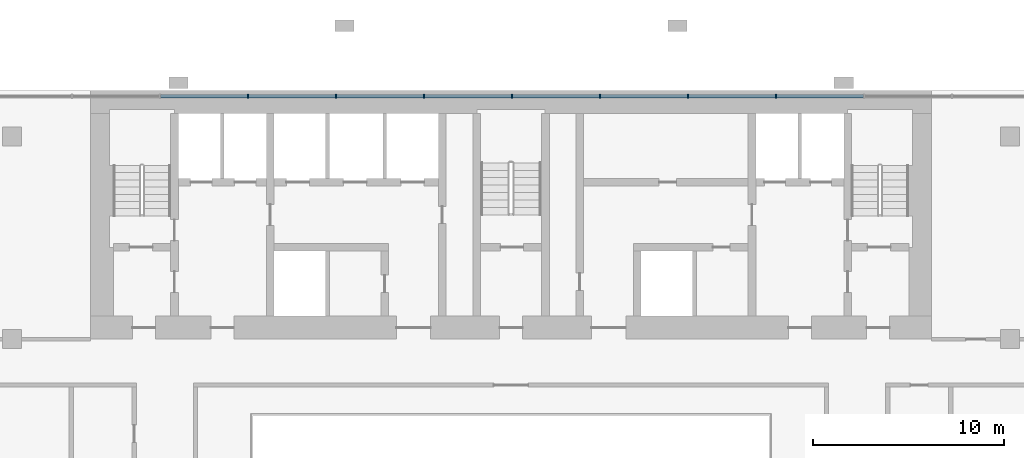
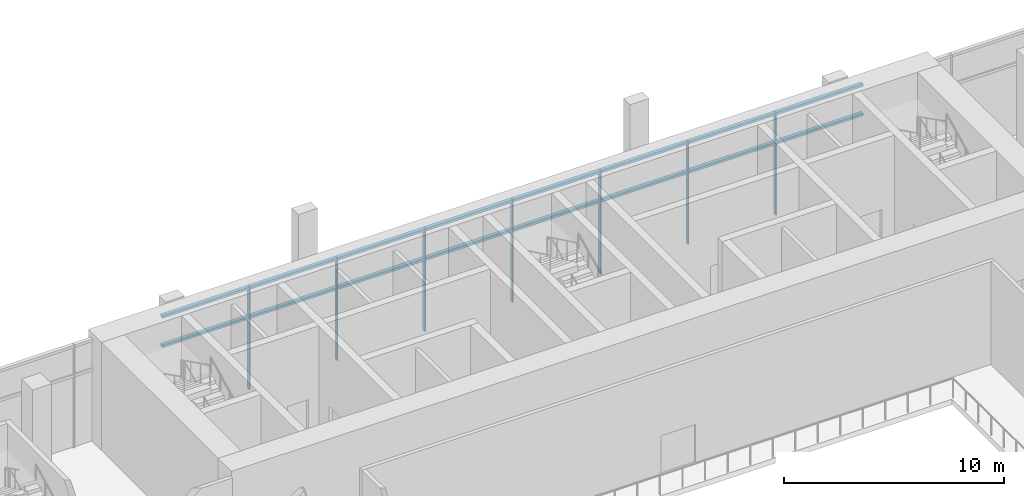
# One storey, part 6 of 22: 23 members, 1 element without a shape of its own.
"""IFC4 building model written with IfcOpenShell, lengths in metres."""

import ifcopenshell
import ifcopenshell.guid

model = None  # the IFC model being written
_history = None  # IfcOwnerHistory: only IFC2X3 demands one
_inside = {}  # id of a spatial element -> (the spatial element, [elements in it])
_under = {}  # id of a project, library or spatial element -> (it, [spatial elements below it])
_declared = {}  # id of a project -> (the project, [libraries it declares])
_typed = {}  # id of a type object -> (the type object, [elements of that type])
_made_of = {}  # id of a material, layer set ... -> (it, [elements and type objects made of it])


def new_model(schema):
    """Start an empty IFC model of exactly this schema.

    Asked for "IFC4X3", IfcOpenShell would pick the latest addendum, in which some entities
    have other attributes; the version numbers below select the first issue.
    IFC2X3 requires an IfcOwnerHistory on every rooted entity: one is made here for all.
    """
    global model, _history
    if schema == "IFC4X3":
        model = ifcopenshell.file(schema_version=(4, 3, 0, 0))
    else:
        model = ifcopenshell.file(schema=schema)
    _inside.clear()
    _under.clear()
    _declared.clear()
    _typed.clear()
    _made_of.clear()
    _history = None
    if model.schema == "IFC2X3":
        org = make("IfcOrganization", Name="unknown")
        user = make(
            "IfcPersonAndOrganization",
            ThePerson=make("IfcPerson", FamilyName="unknown"),
            TheOrganization=org,
        )
        app = make(
            "IfcApplication",
            ApplicationDeveloper=org,
            Version="unknown",
            ApplicationFullName="unknown",
            ApplicationIdentifier="unknown",
        )
        _history = make(
            "IfcOwnerHistory",
            OwningUser=user,
            OwningApplication=app,
            ChangeAction="ADDED",
            CreationDate=0,
        )
    return model


def make(cls, **values):
    """One entity of the class cls with the attributes given. An attribute that is None is left unset."""
    return model.create_entity(
        cls, **{name: value for name, value in values.items() if value is not None}
    )


def rooted(cls, **values):
    """An entity with a GlobalId (a new one), such as an element, a storey or a relation."""
    return make(cls, GlobalId=ifcopenshell.guid.new(), OwnerHistory=_history, **values)


def si_unit(unit_type, name, prefix=None):
    """IfcSIUnit, for example si_unit("LENGTHUNIT", "METRE", prefix="MILLI")."""
    return make("IfcSIUnit", UnitType=unit_type, Prefix=prefix, Name=name)


def assignment(units):
    """IfcUnitAssignment: the units of a project."""
    return None if units is None else make("IfcUnitAssignment", Units=units)


def point(xyz):
    """IfcCartesianPoint."""
    return None if xyz is None else make("IfcCartesianPoint", Coordinates=xyz)


def direction(xyz):
    """IfcDirection."""
    return None if xyz is None else make("IfcDirection", DirectionRatios=xyz)


def frame(location, z_axis=None, x_axis=None):
    """IfcAxis2Placement3D, a coordinate frame: its origin and axes. An axis left out is left unset."""
    return make(
        "IfcAxis2Placement3D",
        Location=point(location),
        Axis=direction(z_axis),
        RefDirection=direction(x_axis),
    )


def frame_2d(location, x_axis=None):
    """IfcAxis2Placement2D, a coordinate frame in the plane: its origin and x axis."""
    return make(
        "IfcAxis2Placement2D", Location=point(location), RefDirection=direction(x_axis)
    )


def origin():
    """The frame at (0, 0, 0) with its axes left unset."""
    return frame((0.0, 0.0, 0.0))


def origin_2d():
    """The frame at (0, 0) in the plane with its x axis left unset."""
    return frame_2d((0.0, 0.0))


def place(relative_to, where):
    """IfcLocalPlacement: puts the frame where relative to a parent placement (None: the world)."""
    return make(
        "IfcLocalPlacement", PlacementRelTo=relative_to, RelativePlacement=where
    )


def context(
    kind, dimensions, precision=None, world=None, true_north=None, identifier=None
):
    """IfcGeometricRepresentationContext, for example the 3D "Model" context."""
    return make(
        "IfcGeometricRepresentationContext",
        ContextIdentifier=identifier,
        ContextType=kind,
        CoordinateSpaceDimension=dimensions,
        Precision=precision,
        WorldCoordinateSystem=world,
        TrueNorth=true_north,
    )


def subcontext(parent, identifier, kind, view, scale=None):
    """IfcGeometricRepresentationSubContext, for example "Body" below "Model"."""
    return make(
        "IfcGeometricRepresentationSubContext",
        ContextIdentifier=identifier,
        ContextType=kind,
        ParentContext=parent,
        TargetScale=scale,
        TargetView=view,
    )


def project(units=None, contexts=None):
    """IfcProject with its units and contexts."""
    return rooted(
        "IfcProject",
        Name="project",
        RepresentationContexts=contexts,
        UnitsInContext=assignment(units),
    )


def spatial(cls, under=None, at=None, **own):
    """A site, building, storey or space (cls), placed at a placement, below another one or the project."""
    s = rooted(cls, ObjectPlacement=at, **own)
    if under is not None:
        _under.setdefault(under.id(), (under, []))[1].append(s)
    return s


def profile(cls, at=None, kind="AREA", **sizes):
    """A parametric profile (cls). Its sizes go by their IFC names, for example OverallWidth=200.0."""
    return make(cls, ProfileType=kind, Position=at, **sizes)


def rectangle(**sizes):
    """IfcRectangleProfileDef."""
    return profile("IfcRectangleProfileDef", **sizes)


def extrude(swept, where, along, depth):
    """IfcExtrudedAreaSolid: the profile swept, set in the frame where, extruded along a direction by depth."""
    return make(
        "IfcExtrudedAreaSolid",
        SweptArea=swept,
        Position=where,
        ExtrudedDirection=direction(along),
        Depth=depth,
    )


def shape(context_of_items, identifier, shape_type, items):
    """IfcShapeRepresentation: the items that make up one representation, for example the "Body"."""
    return make(
        "IfcShapeRepresentation",
        ContextOfItems=context_of_items,
        RepresentationIdentifier=identifier,
        RepresentationType=shape_type,
        Items=items,
    )


def material(Name=None, Category=None):
    """IfcMaterial."""
    return make("IfcMaterial", Name=Name, Category=Category)


def material_profile(
    of_material, cross_section, Name=None, Category=None, Priority=None
):
    """IfcMaterialProfile: a cross section and its material."""
    return make(
        "IfcMaterialProfile",
        Name=Name,
        Material=of_material,
        Profile=cross_section,
        Priority=Priority,
        Category=Category,
    )


def profile_set(profiles, Name=None, composite=None):
    """IfcMaterialProfileSet."""
    return make(
        "IfcMaterialProfileSet",
        Name=Name,
        MaterialProfiles=profiles,
        CompositeProfile=composite,
    )


def made_of(thing, what):
    """Note that an element or type object is made of a material, layer set ...; save() writes the relation."""
    if what is not None:
        _made_of.setdefault(what.id(), (what, []))[1].append(thing)
    return thing


def type_object(cls, material=None, **own):
    """A type object (cls), such as IfcWallType, which elements share."""
    return made_of(rooted(cls, **own), material)


def element(
    cls,
    number,
    at=None,
    inside=None,
    cuts=None,
    type_object=None,
    material=None,
    context=None,
    identifier="Body",
    shape_type=None,
    held_by="IfcProductDefinitionShape",
    body=None,
    shapes=None,
    **own,
):
    """One element of the class cls, such as IfcWall. Its Tag is "e" and its number.

    at: its placement. inside: the storey or other place that contains it. cuts: it is an
    opening in that element (IfcRelVoidsElement). A single representation is given by context,
    identifier, shape_type and body (its items); several are given by shapes. held_by: the class
    of the entity that holds the representations. save() writes the other relations.
    """
    e = rooted(cls, Tag="e%d" % number, ObjectPlacement=at, **own)
    if body is not None:
        shapes = [shape(context, identifier, shape_type, body)]
    if shapes is not None:
        e.Representation = make(held_by, Representations=shapes)
    if inside is not None:
        _inside.setdefault(inside.id(), (inside, []))[1].append(e)
    if cuts is not None:
        rooted(
            "IfcRelVoidsElement", RelatingBuildingElement=cuts, RelatedOpeningElement=e
        )
    if type_object is not None:
        _typed.setdefault(type_object.id(), (type_object, []))[1].append(e)
    return made_of(e, material)


def aggregate(whole, parts):
    """IfcRelAggregates: a whole, such as a stair, and the parts it consists of."""
    return rooted("IfcRelAggregates", RelatingObject=whole, RelatedObjects=parts)


def save(model, path):
    """Write the relations noted so far, then the file.

    IfcRelAggregates (storeys below a building ...), IfcRelContainedInSpatialStructure (elements
    in a storey), IfcRelDefinesByType, IfcRelAssociatesMaterial and IfcRelDeclares: one each for
    every whole, place, type object, material and project.
    """
    for whole, parts in _under.values():
        aggregate(whole, parts)
    for where, things in _inside.values():
        rooted(
            "IfcRelContainedInSpatialStructure",
            RelatedElements=things,
            RelatingStructure=where,
        )
    for kind, things in _typed.values():
        rooted("IfcRelDefinesByType", RelatedObjects=things, RelatingType=kind)
    for what, things in _made_of.values():
        rooted("IfcRelAssociatesMaterial", RelatedObjects=things, RelatingMaterial=what)
    for by, libraries in _declared.values():
        rooted("IfcRelDeclares", RelatingContext=by, RelatedDefinitions=libraries)
    model.write(path)


model = new_model("IFC4")

# Units and contexts
model_context = context("Model", 3, precision=1e-05, world=origin(), true_north=direction((0.0, 1.0)))
body_context = subcontext(model_context, "Body", "Model", "MODEL_VIEW")
ifc_project = project(units=[si_unit("LENGTHUNIT", "METRE"), si_unit("AREAUNIT", "SQUARE_METRE"), si_unit("VOLUMEUNIT", "CUBIC_METRE"), si_unit("PLANEANGLEUNIT", "RADIAN"), si_unit("MASSUNIT", "GRAM", prefix="KILO")], contexts=[model_context])

# Site, building, storey
site_placement = place(None, origin())
site = spatial("IfcSite", under=ifc_project, at=site_placement, CompositionType="ELEMENT")
building_placement = place(site_placement, origin())
building = spatial("IfcBuilding", under=site, at=building_placement, Name="Bicima Exchange Tower", CompositionType="ELEMENT")
storey_placement = place(building_placement, frame((0.0, 0.0, 14.0)))
storey = spatial("IfcBuildingStorey", under=building, at=storey_placement, Name="L02", CompositionType="ELEMENT", Elevation=14.0)

# Curtain wall, members
ifc_material = material(Name="Anodised bronze aluminium", Category="aluminium")
curtain_wall_type = type_object("IfcCurtainWallType", Name="Lobby glazing", PredefinedType="NOTDEFINED", material=ifc_material)
curtain_wall_placement = place(storey_placement, origin())
curtain_wall = element("IfcCurtainWall", 1, at=curtain_wall_placement, inside=storey, type_object=curtain_wall_type, Name="Podium glazing L02 north 1", PredefinedType="NOTDEFINED")
ifc_material_profile_1 = material_profile(ifc_material, rectangle(XDim=0.199951171875, YDim=0.06005859375, at=origin_2d()))
ifc_profile_set_1 = profile_set([ifc_material_profile_1], Name="Anodised bronze aluminium")
member_type_1 = type_object("IfcMemberType", Name="Lobby glazing mullion 60 x 200", PredefinedType="MULLION", material=ifc_profile_set_1)
member_1_placement = place(storey_placement, frame((13.85595703125, -0.300048828125, 0.0), z_axis=(0.0, 0.0, 1.0), x_axis=(0.0, -1.0, 0.0)))
member_1 = element("IfcMember", 2, at=member_1_placement, type_object=member_type_1, Name="Lobby glazing mullion 8", PredefinedType="MULLION", context=body_context, shape_type="SweptSolid", body=[
    extrude(rectangle(XDim=0.199951171875, YDim=0.06005859375, at=origin_2d()), origin(), (0.0, 0.0, 1.0), 5.699951171875),
])
member_2_placement = place(storey_placement, frame((9.25390625, -0.300048828125, 0.0), z_axis=(0.0, 0.0, 1.0), x_axis=(0.0, -1.0, 0.0)))
member_2 = element("IfcMember", 3, at=member_2_placement, type_object=member_type_1, Name="Lobby glazing mullion 9", PredefinedType="MULLION", context=body_context, shape_type="SweptSolid", body=[
    extrude(rectangle(XDim=0.199951171875, YDim=0.06005859375, at=origin_2d()), origin(), (0.0, 0.0, 1.0), 5.699951171875),
])
member_3_placement = place(storey_placement, frame((4.652099609375, -0.300048828125, 0.0), z_axis=(0.0, 0.0, 1.0), x_axis=(0.0, -1.0, 0.0)))
member_3 = element("IfcMember", 4, at=member_3_placement, type_object=member_type_1, Name="Lobby glazing mullion 10", PredefinedType="MULLION", context=body_context, shape_type="SweptSolid", body=[
    extrude(rectangle(XDim=0.199951171875, YDim=0.06005859375, at=origin_2d()), origin(), (0.0, 0.0, 1.0), 5.699951171875),
])
member_4_placement = place(storey_placement, frame((0.050048828125, -0.300048828125, 0.0), z_axis=(0.0, 0.0, 1.0), x_axis=(0.0, -1.0, 0.0)))
member_4 = element("IfcMember", 5, at=member_4_placement, type_object=member_type_1, Name="Lobby glazing mullion 11", PredefinedType="MULLION", context=body_context, shape_type="SweptSolid", body=[
    extrude(rectangle(XDim=0.199951171875, YDim=0.06005859375, at=origin_2d()), origin(), (0.0, 0.0, 1.0), 5.699951171875),
])
member_5_placement = place(storey_placement, frame((-4.552001953125, -0.300048828125, 0.0), z_axis=(0.0, 0.0, 1.0), x_axis=(0.0, -1.0, 0.0)))
member_5 = element("IfcMember", 6, at=member_5_placement, type_object=member_type_1, Name="Lobby glazing mullion 12", PredefinedType="MULLION", context=body_context, shape_type="SweptSolid", body=[
    extrude(rectangle(XDim=0.199951171875, YDim=0.06005859375, at=origin_2d()), origin(), (0.0, 0.0, 1.0), 5.699951171875),
])
member_6_placement = place(storey_placement, frame((-9.154052734375, -0.300048828125, 0.0), z_axis=(0.0, 0.0, 1.0), x_axis=(0.0, -1.0, 0.0)))
member_6 = element("IfcMember", 7, at=member_6_placement, type_object=member_type_1, Name="Lobby glazing mullion 13", PredefinedType="MULLION", context=body_context, shape_type="SweptSolid", body=[
    extrude(rectangle(XDim=0.199951171875, YDim=0.06005859375, at=origin_2d()), origin(), (0.0, 0.0, 1.0), 5.699951171875),
])
member_7_placement = place(storey_placement, frame((-13.756103515625, -0.300048828125, 0.0), z_axis=(0.0, 0.0, 1.0), x_axis=(0.0, -1.0, 0.0)))
member_7 = element("IfcMember", 8, at=member_7_placement, type_object=member_type_1, Name="Lobby glazing mullion 14", PredefinedType="MULLION", context=body_context, shape_type="SweptSolid", body=[
    extrude(rectangle(XDim=0.199951171875, YDim=0.06005859375, at=origin_2d()), origin(), (0.0, 0.0, 1.0), 5.699951171875),
])
ifc_material_profile_2 = material_profile(ifc_material, rectangle(XDim=0.199951171875, YDim=0.139892578125, at=origin_2d()))
ifc_profile_set_2 = profile_set([ifc_material_profile_2], Name="Anodised bronze aluminium")
member_type_2 = type_object("IfcMemberType", Name="Lobby glazing transom 140 x 200", PredefinedType="USERDEFINED", material=ifc_profile_set_2)
member_8_placement = place(storey_placement, frame((18.427978515625, -0.300048828125, 4.0), z_axis=(-1.0, 0.0, 0.0), x_axis=(0.0, -1.0, 0.0)))
member_8 = element("IfcMember", 9, at=member_8_placement, type_object=member_type_2, Name="Lobby glazing transom 7.1", ObjectType="TRANSOM", PredefinedType="USERDEFINED", context=body_context, shape_type="SweptSolid", body=[
    extrude(rectangle(XDim=0.199951171875, YDim=0.139892578125, at=origin_2d()), origin(), (0.0, 0.0, 1.0), 4.5419921875),
])
member_9_placement = place(storey_placement, frame((18.427978515625, -0.300048828125, 5.6298828125), z_axis=(-1.0, 0.0, 0.0), x_axis=(0.0, -1.0, 0.0)))
member_9 = element("IfcMember", 10, at=member_9_placement, type_object=member_type_2, Name="Lobby glazing transom 7.2", ObjectType="TRANSOM", PredefinedType="USERDEFINED", context=body_context, shape_type="SweptSolid", body=[
    extrude(rectangle(XDim=0.199951171875, YDim=0.139892578125, at=origin_2d()), origin(), (0.0, 0.0, 1.0), 4.5419921875),
])
member_10_placement = place(storey_placement, frame((13.825927734375, -0.300048828125, 4.0), z_axis=(-1.0, 0.0, 0.0), x_axis=(0.0, -1.0, 0.0)))
member_10 = element("IfcMember", 11, at=member_10_placement, type_object=member_type_2, Name="Lobby glazing transom 8.1", ObjectType="TRANSOM", PredefinedType="USERDEFINED", context=body_context, shape_type="SweptSolid", body=[
    extrude(rectangle(XDim=0.199951171875, YDim=0.139892578125, at=origin_2d()), origin(), (0.0, 0.0, 1.0), 4.5419921875),
])
member_11_placement = place(storey_placement, frame((13.825927734375, -0.300048828125, 5.6298828125), z_axis=(-1.0, 0.0, 0.0), x_axis=(0.0, -1.0, 0.0)))
member_11 = element("IfcMember", 12, at=member_11_placement, type_object=member_type_2, Name="Lobby glazing transom 8.2", ObjectType="TRANSOM", PredefinedType="USERDEFINED", context=body_context, shape_type="SweptSolid", body=[
    extrude(rectangle(XDim=0.199951171875, YDim=0.139892578125, at=origin_2d()), origin(), (0.0, 0.0, 1.0), 4.5419921875),
])
member_12_placement = place(storey_placement, frame((9.22412109375, -0.300048828125, 4.0), z_axis=(-1.0, 0.0, 0.0), x_axis=(0.0, -1.0, 0.0)))
member_12 = element("IfcMember", 13, at=member_12_placement, type_object=member_type_2, Name="Lobby glazing transom 9.1", ObjectType="TRANSOM", PredefinedType="USERDEFINED", context=body_context, shape_type="SweptSolid", body=[
    extrude(rectangle(XDim=0.199951171875, YDim=0.139892578125, at=origin_2d()), origin(), (0.0, 0.0, 1.0), 4.542236328125),
])
member_13_placement = place(storey_placement, frame((9.22412109375, -0.300048828125, 5.6298828125), z_axis=(-1.0, 0.0, 0.0), x_axis=(0.0, -1.0, 0.0)))
member_13 = element("IfcMember", 14, at=member_13_placement, type_object=member_type_2, Name="Lobby glazing transom 9.2", ObjectType="TRANSOM", PredefinedType="USERDEFINED", context=body_context, shape_type="SweptSolid", body=[
    extrude(rectangle(XDim=0.199951171875, YDim=0.139892578125, at=origin_2d()), origin(), (0.0, 0.0, 1.0), 4.542236328125),
])
member_14_placement = place(storey_placement, frame((4.6220703125, -0.300048828125, 4.0), z_axis=(-1.0, 0.0, 0.0), x_axis=(0.0, -1.0, 0.0)))
member_14 = element("IfcMember", 15, at=member_14_placement, type_object=member_type_2, Name="Lobby glazing transom 10.1", ObjectType="TRANSOM", PredefinedType="USERDEFINED", context=body_context, shape_type="SweptSolid", body=[
    extrude(rectangle(XDim=0.199951171875, YDim=0.139892578125, at=origin_2d()), origin(), (0.0, 0.0, 1.0), 4.5419921875),
])
member_15_placement = place(storey_placement, frame((4.6220703125, -0.300048828125, 5.6298828125), z_axis=(-1.0, 0.0, 0.0), x_axis=(0.0, -1.0, 0.0)))
member_15 = element("IfcMember", 16, at=member_15_placement, type_object=member_type_2, Name="Lobby glazing transom 10.2", ObjectType="TRANSOM", PredefinedType="USERDEFINED", context=body_context, shape_type="SweptSolid", body=[
    extrude(rectangle(XDim=0.199951171875, YDim=0.139892578125, at=origin_2d()), origin(), (0.0, 0.0, 1.0), 4.5419921875),
])
member_16_placement = place(storey_placement, frame((0.02001953125, -0.300048828125, 4.0), z_axis=(-1.0, 0.0, 0.0), x_axis=(0.0, -1.0, 0.0)))
member_16 = element("IfcMember", 17, at=member_16_placement, type_object=member_type_2, Name="Lobby glazing transom 11.1", ObjectType="TRANSOM", PredefinedType="USERDEFINED", context=body_context, shape_type="SweptSolid", body=[
    extrude(rectangle(XDim=0.199951171875, YDim=0.139892578125, at=origin_2d()), origin(), (0.0, 0.0, 1.0), 4.5419921875),
])
member_17_placement = place(storey_placement, frame((0.02001953125, -0.300048828125, 5.6298828125), z_axis=(-1.0, 0.0, 0.0), x_axis=(0.0, -1.0, 0.0)))
member_17 = element("IfcMember", 18, at=member_17_placement, type_object=member_type_2, Name="Lobby glazing transom 11.2", ObjectType="TRANSOM", PredefinedType="USERDEFINED", context=body_context, shape_type="SweptSolid", body=[
    extrude(rectangle(XDim=0.199951171875, YDim=0.139892578125, at=origin_2d()), origin(), (0.0, 0.0, 1.0), 4.5419921875),
])
member_18_placement = place(storey_placement, frame((-4.58203125, -0.300048828125, 4.0), z_axis=(-1.0, 0.0, 0.0), x_axis=(0.0, -1.0, 0.0)))
member_18 = element("IfcMember", 19, at=member_18_placement, type_object=member_type_2, Name="Lobby glazing transom 12.1", ObjectType="TRANSOM", PredefinedType="USERDEFINED", context=body_context, shape_type="SweptSolid", body=[
    extrude(rectangle(XDim=0.199951171875, YDim=0.139892578125, at=origin_2d()), origin(), (0.0, 0.0, 1.0), 4.5419921875),
])
member_19_placement = place(storey_placement, frame((-4.58203125, -0.300048828125, 5.6298828125), z_axis=(-1.0, 0.0, 0.0), x_axis=(0.0, -1.0, 0.0)))
member_19 = element("IfcMember", 20, at=member_19_placement, type_object=member_type_2, Name="Lobby glazing transom 12.2", ObjectType="TRANSOM", PredefinedType="USERDEFINED", context=body_context, shape_type="SweptSolid", body=[
    extrude(rectangle(XDim=0.199951171875, YDim=0.139892578125, at=origin_2d()), origin(), (0.0, 0.0, 1.0), 4.5419921875),
])
member_20_placement = place(storey_placement, frame((-9.18408203125, -0.300048828125, 4.0), z_axis=(-1.0, 0.0, 0.0), x_axis=(0.0, -1.0, 0.0)))
member_20 = element("IfcMember", 21, at=member_20_placement, type_object=member_type_2, Name="Lobby glazing transom 13.1", ObjectType="TRANSOM", PredefinedType="USERDEFINED", context=body_context, shape_type="SweptSolid", body=[
    extrude(rectangle(XDim=0.199951171875, YDim=0.139892578125, at=origin_2d()), origin(), (0.0, 0.0, 1.0), 4.5419921875),
])
member_21_placement = place(storey_placement, frame((-9.18408203125, -0.300048828125, 5.6298828125), z_axis=(-1.0, 0.0, 0.0), x_axis=(0.0, -1.0, 0.0)))
member_21 = element("IfcMember", 22, at=member_21_placement, type_object=member_type_2, Name="Lobby glazing transom 13.2", ObjectType="TRANSOM", PredefinedType="USERDEFINED", context=body_context, shape_type="SweptSolid", body=[
    extrude(rectangle(XDim=0.199951171875, YDim=0.139892578125, at=origin_2d()), origin(), (0.0, 0.0, 1.0), 4.5419921875),
])
member_22_placement = place(storey_placement, frame((-13.785888671875, -0.300048828125, 4.0), z_axis=(-1.0, 0.0, 0.0), x_axis=(0.0, -1.0, 0.0)))
member_22 = element("IfcMember", 23, at=member_22_placement, type_object=member_type_2, Name="Lobby glazing transom 14.1", ObjectType="TRANSOM", PredefinedType="USERDEFINED", context=body_context, shape_type="SweptSolid", body=[
    extrude(rectangle(XDim=0.199951171875, YDim=0.139892578125, at=origin_2d()), origin(), (0.0, 0.0, 1.0), 4.5419921875),
])
member_23_placement = place(storey_placement, frame((-13.785888671875, -0.300048828125, 5.6298828125), z_axis=(-1.0, 0.0, 0.0), x_axis=(0.0, -1.0, 0.0)))
member_23 = element("IfcMember", 24, at=member_23_placement, type_object=member_type_2, Name="Lobby glazing transom 14.2", ObjectType="TRANSOM", PredefinedType="USERDEFINED", context=body_context, shape_type="SweptSolid", body=[
    extrude(rectangle(XDim=0.199951171875, YDim=0.139892578125, at=origin_2d()), origin(), (0.0, 0.0, 1.0), 4.5419921875),
])
aggregate(curtain_wall, [member_1, member_2, member_3, member_4, member_5, member_6, member_7, member_8, member_9, member_10, member_11, member_12, member_13, member_14, member_15, member_16, member_17, member_18, member_19, member_20, member_21, member_22, member_23])

save(model, "model.ifc")
